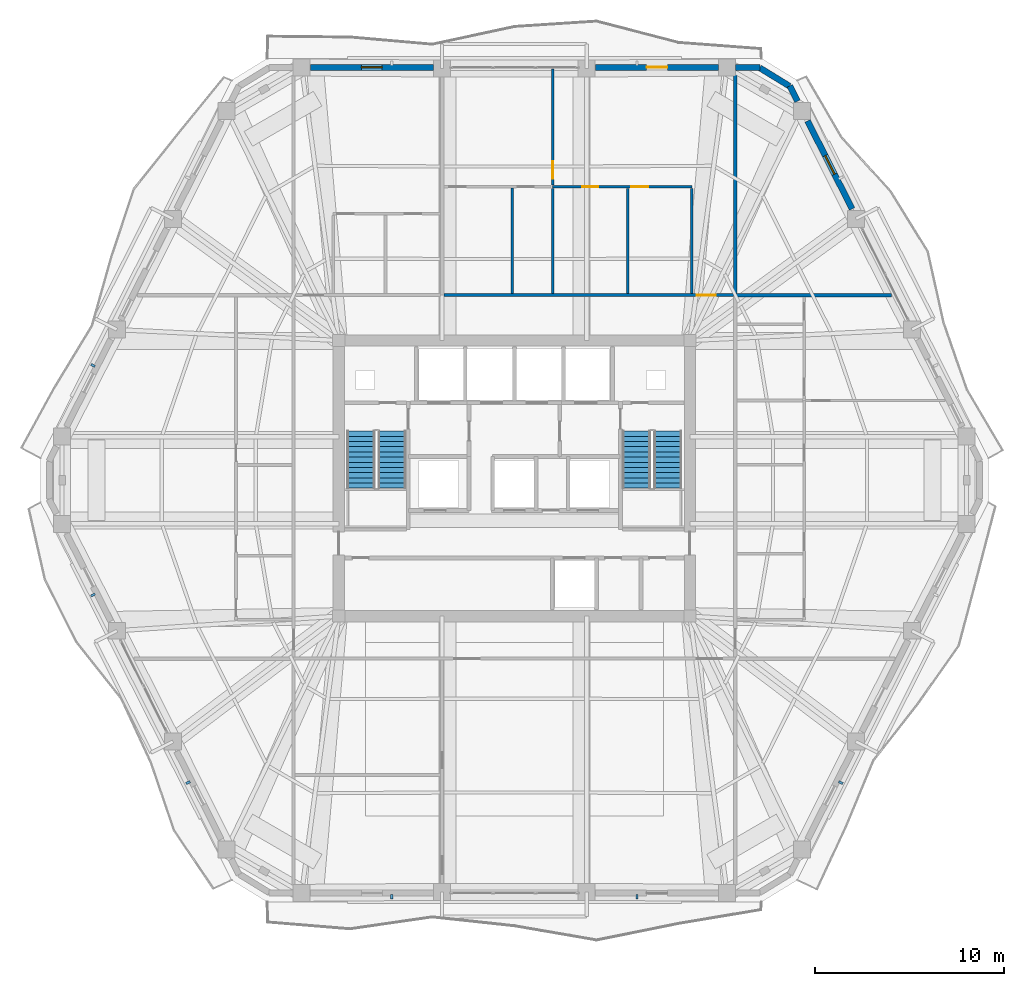
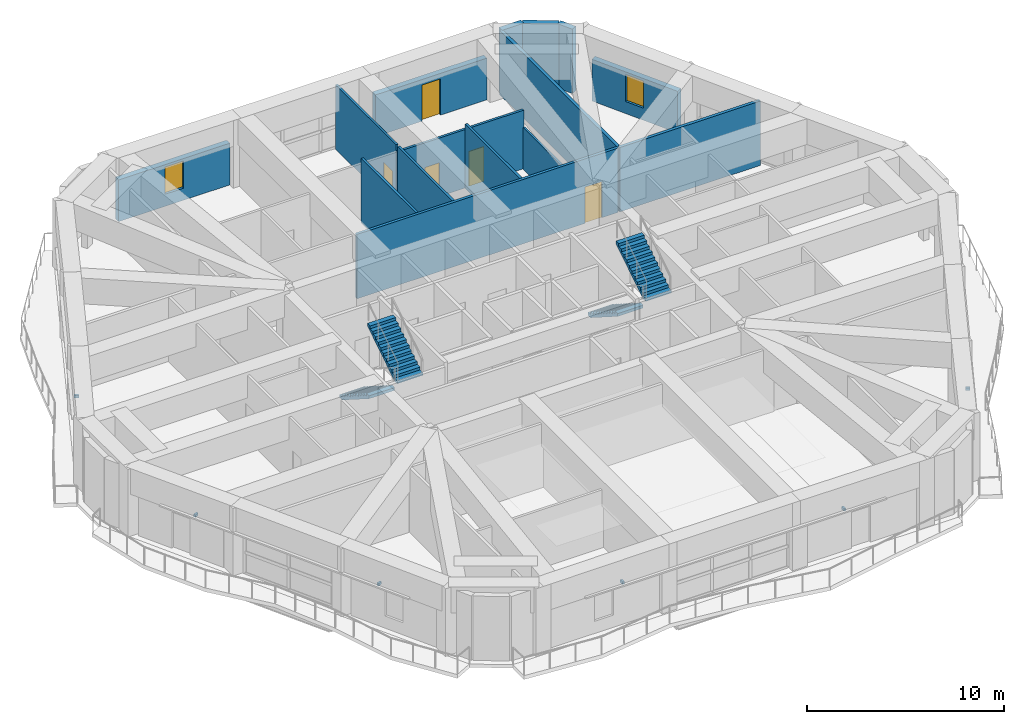
# One storey, part 16 of 20: 15 walls, 6 discrete accessories, 5 doors, 4 stair flights, 2 windows, 7 openings, 2 elements without a shape of their own.
"""IFC4 building model written with IfcOpenShell, lengths in metres."""

from ifc_helpers import new_model, si_unit, direction, frame, frame_2d, origin, origin_2d, place, context, subcontext, project, spatial, polyline, rectangle, outline, extrude, material, layer, layer_set, type_object, element, fill, aggregate, save


model = new_model("IFC4")

# Units and contexts
model_context = context("Model", 3, precision=1e-05, world=origin(), true_north=direction((0.0, 1.0)))
body_context = subcontext(model_context, "Body", "Model", "MODEL_VIEW")
ifc_project = project(units=[si_unit("LENGTHUNIT", "METRE"), si_unit("AREAUNIT", "SQUARE_METRE"), si_unit("VOLUMEUNIT", "CUBIC_METRE"), si_unit("PLANEANGLEUNIT", "RADIAN"), si_unit("MASSUNIT", "GRAM", prefix="KILO")], contexts=[model_context])

# Site, building, storey
site_placement = place(None, origin())
site = spatial("IfcSite", under=ifc_project, at=site_placement, CompositionType="ELEMENT")
building_placement = place(site_placement, origin())
building = spatial("IfcBuilding", under=site, at=building_placement, Name="Cinnabar Lancet Tower", CompositionType="ELEMENT")
storey_placement = place(building_placement, frame((0.0, 0.0, 167.699951171875)))
storey = spatial("IfcBuildingStorey", under=building, at=storey_placement, Name="L44", CompositionType="ELEMENT", Elevation=167.699951171875)

# Wall, opening, door
ifc_material_1 = material(Name="Acoustic twin-stud gypsum partition", Category="gypsum")
ifc_layer_1 = layer(ifc_material_1, 0.159912109375)
ifc_layer_set_1 = layer_set([ifc_layer_1], Name="Acoustic twin-stud gypsum partition")
wall_type_1 = type_object("IfcWallType", Name="ARC-WL-CORR-160", PredefinedType="PARTITIONING", material=ifc_layer_set_1)
wall_1_placement = place(storey_placement, frame((28.6630859375, 35.60009765625, 0.0), z_axis=(0.0, 0.0, 1.0), x_axis=(1.0, 0.0, 0.0)))
wall_1 = element("IfcWall", 1, at=wall_1_placement, inside=storey, type_object=wall_type_1, Name="L44 Unit N02 Corridor Wall", PredefinedType="PARTITIONING", context=body_context, shape_type="SweptSolid", body=[
    extrude(rectangle(XDim=15.341796875, YDim=0.159912109375, at=frame_2d((7.6708984375, 0.0))), origin(), (0.0, 0.0, 1.0), 4.0),
])
opening_1_placement = place(wall_1_placement, frame((13.386962890625, 0.0, 0.0)))
opening_1 = element("IfcOpeningElement", 2, at=opening_1_placement, cuts=wall_1, Name="Opening UD-01", PredefinedType="OPENING", context=body_context, shape_type="SweptSolid", body=[
    extrude(rectangle(XDim=1.02001953125, YDim=2.25, at=frame_2d((0.510009765625, 1.125))), frame((0.0, 0.08984375, 0.0), z_axis=(0.0, -1.0, 0.0), x_axis=(1.0, 0.0, 0.0)), (0.0, 0.0, 1.0), 0.179931640625),
])
ifc_material_2 = material(Name="Solid timber fire-rated apartment entrance door", Category="wood")
door_type_1 = type_object("IfcDoorType", Name="ARC-DR-UNIT", OperationType="NOTDEFINED", PredefinedType="DOOR", material=ifc_material_2)
door_1_placement = place(opening_1_placement, origin())
door_1 = element("IfcDoor", 3, at=door_1_placement, inside=storey, type_object=door_type_1, Name="DR-L44-N02-ENT", OperationType="SINGLE_SWING_RIGHT", OverallHeight=2.25, OverallWidth=1.02001953125, PredefinedType="DOOR", context=body_context, shape_type="SweptSolid", body=[
    extrude(rectangle(XDim=1.02001953125, YDim=2.25, at=frame_2d((0.510009765625, 1.125))), frame((0.0, 0.02490234375, 0.0), z_axis=(0.0, -1.0, 0.0), x_axis=(1.0, 0.0, 0.0)), (0.0, 0.0, 1.0), 0.050048828125),
])
fill(opening_1, door_1)

# Walls
ifc_material_3 = material(Name="Fire-rated twin-frame acoustic drywall", Category="gypsum")
ifc_layer_2 = layer(ifc_material_3, 0.179931640625)
ifc_layer_set_2 = layer_set([ifc_layer_2], Name="Fire-rated twin-frame acoustic drywall")
wall_type_2 = type_object("IfcWallType", Name="ARC-WL-PARTY-180", PredefinedType="PARTITIONING", material=ifc_layer_set_2)
wall_2_placement = place(storey_placement, frame((44.10009765625, 35.60009765625, 0.0), z_axis=(0.0, 0.0, 1.0), x_axis=(0.0, 1.0, 0.0)))
element("IfcWall", 4, at=wall_2_placement, inside=storey, type_object=wall_type_2, Name="PW-L44-NPTY-441", PredefinedType="PARTITIONING", context=body_context, shape_type="SweptSolid", body=[
    extrude(rectangle(XDim=11.98486328125, YDim=0.179931640625, at=frame_2d((5.992431640625, 0.0))), origin(), (0.0, 0.0, 1.0), 4.0),
])
wall_3_placement = place(storey_placement, frame((44.10009765625, 35.60009765625, 0.0), z_axis=(0.0, 0.0, 1.0), x_axis=(1.0, 0.0, 0.0)))
element("IfcWall", 5, at=wall_3_placement, inside=storey, type_object=wall_type_2, Name="PW-L44-ENB", PredefinedType="PARTITIONING", context=body_context, shape_type="SweptSolid", body=[
    extrude(rectangle(XDim=8.27294921875, YDim=0.179931640625, at=frame_2d((4.136474609375, 0.0))), origin(), (0.0, 0.0, 1.0), 4.0),
])
ifc_material_4 = material(Name="Gypsum plasterboard stud partition", Category="gypsum")
ifc_layer_3 = layer(ifc_material_4, 0.125)
ifc_layer_set_3 = layer_set([ifc_layer_3], Name="Gypsum plasterboard stud partition")
wall_type_3 = type_object("IfcWallType", Name="ARC-WL-UNIT-125", PredefinedType="PARTITIONING", material=ifc_layer_set_3)
wall_4_placement = place(storey_placement, frame((41.800048828125, 35.68505859375, 0.0), z_axis=(0.0, 0.0, 1.0), x_axis=(0.0, 1.0, 0.0)))
element("IfcWall", 6, at=wall_4_placement, inside=storey, type_object=wall_type_3, Name="UW-L44-N02-FOYW", PredefinedType="PARTITIONING", context=body_context, shape_type="SweptSolid", body=[
    extrude(rectangle(XDim=5.56298828125, YDim=0.125, at=frame_2d((2.781494140625, 0.0))), origin(), (0.0, 0.0, 1.0), 2.590087890625),
])

# Wall, opening, door
wall_5_placement = place(storey_placement, frame((34.425048828125, 41.427978515625, 0.0), z_axis=(0.0, 0.0, 1.0), x_axis=(0.0, 1.0, 0.0)))
wall_5 = element("IfcWall", 7, at=wall_5_placement, inside=storey, type_object=wall_type_3, Name="UW-L44-N02-MBW", PredefinedType="PARTITIONING", context=body_context, shape_type="SweptSolid", body=[
    extrude(rectangle(XDim=6.156982421875, YDim=0.125, at=frame_2d((3.07861328125, 0.0))), origin(), (0.0, 0.0, 1.0), 4.0),
])
opening_2_placement = place(wall_5_placement, frame((0.35009765625, 0.0, 0.0)))
opening_2 = element("IfcOpeningElement", 8, at=opening_2_placement, cuts=wall_5, Name="Opening RD-01", PredefinedType="OPENING", context=body_context, shape_type="SweptSolid", body=[
    extrude(rectangle(XDim=0.919921875, YDim=2.14990234375, at=frame_2d((0.4599609375, 1.074951171875))), frame((0.0, 0.072509765625, 0.0), z_axis=(0.0, -1.0, 0.0), x_axis=(1.0, 0.0, 0.0)), (0.0, 0.0, 1.0), 0.14501953125),
])
ifc_material_5 = material(Name="Engineered timber bedroom door", Category="wood")
door_type_2 = type_object("IfcDoorType", Name="ARC-DR-ROOM", OperationType="NOTDEFINED", PredefinedType="DOOR", material=ifc_material_5)
door_2_placement = place(opening_2_placement, origin())
door_2 = element("IfcDoor", 9, at=door_2_placement, inside=storey, type_object=door_type_2, Name="DR-L44-N02-MBD", OperationType="SINGLE_SWING_LEFT", OverallHeight=2.14990234375, OverallWidth=0.919921875, PredefinedType="DOOR", context=body_context, shape_type="SweptSolid", body=[
    extrude(rectangle(XDim=0.919921875, YDim=2.14990234375, at=frame_2d((0.4599609375, 1.074951171875))), frame((0.0, 0.02490234375, 0.0), z_axis=(0.0, -1.0, 0.0), x_axis=(1.0, 0.0, 0.0)), (0.0, 0.0, 1.0), 0.050048828125),
])
fill(opening_2, door_2)

# Wall, openings, doors
ifc_material_6 = material(Name="Moisture-resistant cement-board plumbing wall", Category="masonry")
ifc_layer_4 = layer(ifc_material_6, 0.139892578125)
ifc_layer_set_4 = layer_set([ifc_layer_4], Name="Moisture-resistant cement-board plumbing wall")
wall_type_4 = type_object("IfcWallType", Name="ARC-WL-WET-140", PredefinedType="PLUMBINGWALL", material=ifc_layer_set_4)
wall_6_placement = place(storey_placement, frame((34.425048828125, 41.35302734375, 0.0), z_axis=(0.0, 0.0, 1.0), x_axis=(1.0, 0.0, 0.0)))
wall_6 = element("IfcWall", 10, at=wall_6_placement, inside=storey, type_object=wall_type_4, Name="UW-L44-N02-SPL", PredefinedType="PLUMBINGWALL", context=body_context, shape_type="SweptSolid", body=[
    extrude(rectangle(XDim=7.375, YDim=0.139892578125, at=frame_2d((3.6875, 0.0))), origin(), (0.0, 0.0, 1.0), 3.635009765625),
])
opening_3_placement = place(wall_6_placement, frame((1.56298828125, 0.0, 0.0)))
opening_3 = element("IfcOpeningElement", 11, at=opening_3_placement, cuts=wall_6, Name="Opening BD-01", PredefinedType="OPENING", context=body_context, shape_type="SweptSolid", body=[
    extrude(rectangle(XDim=0.860107421875, YDim=2.10009765625, at=frame_2d((0.43017578125, 1.050048828125))), frame((0.0, 0.079833984375, 0.0), z_axis=(0.0, -1.0, 0.0), x_axis=(1.0, 0.0, 0.0)), (0.0, 0.0, 1.0), 0.159912109375),
])
opening_4_placement = place(wall_6_placement, frame((4.175048828125, 0.0, 0.0)))
opening_4 = element("IfcOpeningElement", 12, at=opening_4_placement, cuts=wall_6, Name="Opening RD-02", PredefinedType="OPENING", context=body_context, shape_type="SweptSolid", body=[
    extrude(rectangle(XDim=0.8798828125, YDim=2.14990234375, at=frame_2d((0.43994140625, 1.074951171875))), frame((0.0, 0.079833984375, 0.0), z_axis=(0.0, -1.0, 0.0), x_axis=(1.0, 0.0, 0.0)), (0.0, 0.0, 1.0), 0.159912109375),
])
ifc_material_7 = material(Name="Moisture-resistant timber bathroom door", Category="wood")
door_type_3 = type_object("IfcDoorType", Name="ARC-DR-BATH", OperationType="NOTDEFINED", PredefinedType="DOOR", material=ifc_material_7)
door_3_placement = place(opening_3_placement, origin())
door_3 = element("IfcDoor", 13, at=door_3_placement, inside=storey, type_object=door_type_3, Name="DR-L44-N02-BTH", OperationType="SINGLE_SWING_LEFT", OverallHeight=2.10009765625, OverallWidth=0.860107421875, PredefinedType="DOOR", context=body_context, shape_type="SweptSolid", body=[
    extrude(rectangle(XDim=0.860107421875, YDim=2.10009765625, at=frame_2d((0.43017578125, 1.050048828125))), frame((0.0, 0.02490234375, 0.0), z_axis=(0.0, -1.0, 0.0), x_axis=(1.0, 0.0, 0.0)), (0.0, 0.0, 1.0), 0.050048828125),
])
fill(opening_3, door_3)
ifc_material_8 = material(Name="Engineered timber study door", Category="wood")
door_type_4 = type_object("IfcDoorType", Name="ARC-DR-STUDY", OperationType="NOTDEFINED", PredefinedType="DOOR", material=ifc_material_8)
door_4_placement = place(opening_4_placement, origin())
door_4 = element("IfcDoor", 14, at=door_4_placement, inside=storey, type_object=door_type_4, Name="DR-L44-N02-KIT", OperationType="SINGLE_SWING_RIGHT", OverallHeight=2.14990234375, OverallWidth=0.8798828125, PredefinedType="DOOR", context=body_context, shape_type="SweptSolid", body=[
    extrude(rectangle(XDim=0.8798828125, YDim=2.14990234375, at=frame_2d((0.43994140625, 1.074951171875))), frame((0.0, 0.02490234375, 0.0), z_axis=(0.0, -1.0, 0.0), x_axis=(1.0, 0.0, 0.0)), (0.0, 0.0, 1.0), 0.050048828125),
])
fill(opening_4, door_4)

# Walls
for number, where, z_axis, x_axis, name in (
    (15, (38.39990234375, 35.68505859375, 0.0), (0.0, 0.0, 1.0), (0.0, 1.0, 0.0), "UW-L44-N02-KBD"),
    (16, (34.425048828125, 35.68505859375, 0.0), (0.0, 0.0, 1.0), (0.0, 1.0, 0.0), "UW-L44-N02-ENSW"),
):
    element("IfcWall", number, at=place(storey_placement, frame(where, z_axis=z_axis, x_axis=x_axis)), inside=storey, type_object=wall_type_4, Name=name, PredefinedType="PLUMBINGWALL", context=body_context, shape_type="SweptSolid", body=[
        extrude(rectangle(XDim=5.56298828125, YDim=0.139892578125, at=frame_2d((2.781494140625, 0.0))), origin(), (0.0, 0.0, 1.0), 4.0),
    ])
wall_7_placement = place(storey_placement, frame((32.2939453125, 35.68505859375, 0.0), z_axis=(0.0, 0.0, 1.0), x_axis=(0.0, 1.0, 0.0)))
element("IfcWall", 17, at=wall_7_placement, inside=storey, type_object=wall_type_4, Name="UW-L44-N02-ENS-WDV", PredefinedType="PLUMBINGWALL", context=body_context, shape_type="SweptSolid", body=[
    extrude(rectangle(XDim=5.5830078125, YDim=0.139892578125, at=frame_2d((2.79150390625, 0.0))), origin(), (0.0, 0.0, 1.0), 4.0),
])
ifc_material_9 = material(Name="Warm buff clay brick", Category="masonry")
ifc_layer_5 = layer(ifc_material_9, 0.320068359375)
ifc_layer_set_5 = layer_set([ifc_layer_5], Name="Warm buff clay brick")
wall_type_5 = type_object("IfcWallType", Name="ENV-WL-BRK-BUF-320", PredefinedType="STANDARD", material=ifc_layer_set_5)
wall_8_placement = place(storey_placement, frame((46.972900390625, 46.676025390625, 0.0), z_axis=(0.0, 0.0, 1.0), x_axis=(-0.85190713782, 0.52369287615, 0.0)))
element("IfcWall", 18, at=wall_8_placement, inside=storey, type_object=wall_type_5, Name="L44 Chamfered Corner Brick Pier 4.1", PredefinedType="STANDARD", context=body_context, shape_type="SweptSolid", body=[
    extrude(rectangle(XDim=1.852294921875, YDim=0.320068359375, at=frame_2d((0.92626953125, 0.0))), origin(), (0.0, 0.0, 1.0), 4.0),
])

# Wall, opening, window
wall_9_placement = place(storey_placement, frame((50.291015625, 40.1708984375, 0.0), z_axis=(0.0, 0.0, 1.0), x_axis=(-0.451418764337, 0.892312220697, 0.0)))
wall_9 = element("IfcWall", 19, at=wall_9_placement, inside=storey, type_object=wall_type_5, Name="L44 Face 3 Masonry Bay Wall 4", PredefinedType="STANDARD", context=body_context, shape_type="SweptSolid", body=[
    extrude(rectangle(XDim=5.218994140625, YDim=0.320068359375, at=frame_2d((2.609375, 0.0))), origin(), (0.0, 0.0, 1.0), 2.590087890625),
])
opening_5_placement = place(wall_9_placement, frame((2.06005859375, 0.0, 0.75)))
opening_5 = element("IfcOpeningElement", 20, at=opening_5_placement, cuts=wall_9, Name="Opening WN-04", PredefinedType="OPENING", context=body_context, shape_type="SweptSolid", body=[
    extrude(rectangle(XDim=1.10009765625, YDim=1.68994140625, at=frame_2d((0.550048828125, 0.844970703125))), frame((0.0, 0.169921875, 0.0), z_axis=(0.0, -1.0, 0.0), x_axis=(1.0, 0.0, 0.0)), (0.0, 0.0, 1.0), 0.340087890625),
])
ifc_material_10 = material(Name="Thermally broken bronze-anodized aluminium tall lancet window", Category="aluminium")
window_type = type_object("IfcWindowType", Name="ENV-WN-LANCET-1100", PartitioningType="SINGLE_PANEL", PredefinedType="WINDOW", material=ifc_material_10)
window_1_placement = place(opening_5_placement, origin())
window_1 = element("IfcWindow", 21, at=window_1_placement, inside=storey, type_object=window_type, Name="L44 Face 3 Gothic Lancet Window 4", OverallHeight=1.68994140625, OverallWidth=1.10009765625, PartitioningType="SINGLE_PANEL", PredefinedType="WINDOW", context=body_context, shape_type="SweptSolid", body=[
    extrude(rectangle(XDim=1.10009765625, YDim=1.68994140625, at=frame_2d((0.550048828125, 0.844970703125))), frame((0.0, 0.030029296875, 0.0), z_axis=(0.0, -1.0, 0.0), x_axis=(1.0, 0.0, 0.0)), (0.0, 0.0, 1.0), 0.06005859375),
])
fill(opening_5, window_1)

# Walls
wall_10_placement = place(storey_placement, frame((47.402099609375, 45.8798828125, 0.0), z_axis=(0.0, 0.0, 1.0), x_axis=(-0.451292054135, 0.892376311807, 0.0)))
element("IfcWall", 22, at=wall_10_placement, inside=storey, type_object=wall_type_5, Name="L44 Face 3 Masonry Bay Wall 5", PredefinedType="STANDARD", context=body_context, shape_type="SweptSolid", body=[
    extrude(rectangle(XDim=0.908935546875, YDim=0.320068359375, at=frame_2d((0.45458984375, 0.0))), origin(), (0.0, 0.0, 1.0), 4.0),
])
wall_11_placement = place(storey_placement, frame((45.39990234375, 47.669921875, 0.0), z_axis=(0.0, 0.0, 1.0), x_axis=(-1.0, 0.0, 0.0)))
element("IfcWall", 23, at=wall_11_placement, inside=storey, type_object=wall_type_5, Name="L44 Face 4 Masonry Bay Wall 1", PredefinedType="STANDARD", context=body_context, shape_type="SweptSolid", body=[
    extrude(rectangle(XDim=1.27685546875, YDim=0.320068359375, at=frame_2d((0.638427734375, 0.0))), origin(), (0.0, 0.0, 1.0), 4.0),
])

# Wall, opening, door
wall_12_placement = place(storey_placement, frame((43.215087890625, 47.669921875, 0.0), z_axis=(0.0, 0.0, 1.0), x_axis=(-1.0, 0.0, 0.0)))
wall_12 = element("IfcWall", 24, at=wall_12_placement, inside=storey, type_object=wall_type_5, Name="L44 Face 4 Masonry Bay Wall 2", PredefinedType="STANDARD", context=body_context, shape_type="SweptSolid", body=[
    extrude(rectangle(XDim=6.529052734375, YDim=0.320068359375, at=frame_2d((3.2646484375, 0.0))), origin(), (0.0, 0.0, 1.0), 2.590087890625),
])
opening_6_placement = place(wall_12_placement, frame((2.715087890625, 0.0, 0.0)))
opening_6 = element("IfcOpeningElement", 25, at=opening_6_placement, cuts=wall_12, Name="Opening TD-01", PredefinedType="OPENING", context=body_context, shape_type="SweptSolid", body=[
    extrude(rectangle(XDim=1.10009765625, YDim=2.25, at=frame_2d((0.550048828125, 1.125))), frame((0.0, 0.169921875, 0.0), z_axis=(0.0, -1.0, 0.0), x_axis=(1.0, 0.0, 0.0)), (0.0, 0.0, 1.0), 0.340087890625),
])
ifc_material_11 = material(Name="Thermally broken low-E glazed balcony terrace door", Category="wood")
door_type_5 = type_object("IfcDoorType", Name="ARC-DR-BALC", OperationType="NOTDEFINED", PredefinedType="DOOR", material=ifc_material_11)
door_5_placement = place(opening_6_placement, origin())
door_5 = element("IfcDoor", 26, at=door_5_placement, inside=storey, type_object=door_type_5, Name="L44 Face 4 Glazed Terrace Door", OperationType="SINGLE_SWING_RIGHT", OverallHeight=2.25, OverallWidth=1.10009765625, PredefinedType="DOOR", context=body_context, shape_type="SweptSolid", body=[
    extrude(rectangle(XDim=1.10009765625, YDim=2.25, at=frame_2d((0.550048828125, 1.125))), frame((0.0, 0.02490234375, 0.0), z_axis=(0.0, -1.0, 0.0), x_axis=(1.0, 0.0, 0.0)), (0.0, 0.0, 1.0), 0.050048828125),
])
fill(opening_6, door_5)

# Wall, opening, window
wall_13_placement = place(storey_placement, frame((28.114013671875, 47.669921875, 0.0), z_axis=(0.0, 0.0, 1.0), x_axis=(-1.0, 0.0, 0.0)))
wall_13 = element("IfcWall", 27, at=wall_13_placement, inside=storey, type_object=wall_type_5, Name="L44 Face 4 Masonry Bay Wall 4", PredefinedType="STANDARD", context=body_context, shape_type="SweptSolid", body=[
    extrude(rectangle(XDim=6.529052734375, YDim=0.320068359375, at=frame_2d((3.2646484375, 0.0))), origin(), (0.0, 0.0, 1.0), 2.590087890625),
])
opening_7_placement = place(wall_13_placement, frame((2.715087890625, 0.0, 0.75)))
opening_7 = element("IfcOpeningElement", 28, at=opening_7_placement, cuts=wall_13, Name="Opening WN-04", PredefinedType="OPENING", context=body_context, shape_type="SweptSolid", body=[
    extrude(rectangle(XDim=1.10009765625, YDim=1.68994140625, at=frame_2d((0.550048828125, 0.844970703125))), frame((0.0, 0.169921875, 0.0), z_axis=(0.0, -1.0, 0.0), x_axis=(1.0, 0.0, 0.0)), (0.0, 0.0, 1.0), 0.340087890625),
])
window_2_placement = place(opening_7_placement, origin())
window_2 = element("IfcWindow", 29, at=window_2_placement, inside=storey, type_object=window_type, Name="L44 Face 4 Gothic Lancet Window 4", OverallHeight=1.68994140625, OverallWidth=1.10009765625, PartitioningType="SINGLE_PANEL", PredefinedType="WINDOW", context=body_context, shape_type="SweptSolid", body=[
    extrude(rectangle(XDim=1.10009765625, YDim=1.68994140625, at=frame_2d((0.550048828125, 0.844970703125))), frame((0.0, 0.030029296875, 0.0), z_axis=(0.0, -1.0, 0.0), x_axis=(1.0, 0.0, 0.0)), (0.0, 0.0, 1.0), 0.06005859375),
])
fill(opening_7, window_2)

# Stair, stair flights
ifc_material_12 = material(Name="Concrete C40/50", Category="concrete")
stair_type = type_object("IfcStairType", Name="ST-CORE", PredefinedType="HALF_TURN_STAIR", material=ifc_material_12)
stair_1_placement = place(storey_placement, origin())
stair_1 = element("IfcStair", 30, at=stair_1_placement, inside=storey, type_object=stair_type, Name="L44 ST-1", PredefinedType="HALF_TURN_STAIR")
ifc_material_13 = material(Name="Concrete C40/50", Category="concrete")
stair_flight_type = type_object("IfcStairFlightType", Name="FLIGHT-CORE", PredefinedType="STRAIGHT", material=ifc_material_13)
stair_flight_1_placement = place(storey_placement, frame((24.27490234375, 28.39990234375, 0.0), z_axis=(0.0, 0.0, 1.0), x_axis=(0.0, -1.0, 0.0)))
stair_flight_1 = element("IfcStairFlight", 31, at=stair_flight_1_placement, type_object=stair_flight_type, Name="ST-1 flight 1", NumberOfRisers=12, NumberOfTreads=11, PredefinedType="STRAIGHT", RiserHeight=0.175, TreadLength=0.275, context=body_context, shape_type="SweptSolid", body=[
    extrude(outline(polyline([(0.0, 0.0), (0.0, 0.175048828125), (0.27490234375, 0.175048828125), (0.27490234375, 0.35009765625), (0.550048828125, 0.35009765625), (0.550048828125, 0.52490234375), (0.824951171875, 0.52490234375), (0.824951171875, 0.699951171875), (1.10009765625, 0.699951171875), (1.10009765625, 0.875), (1.375, 0.875), (1.375, 1.050048828125), (1.64990234375, 1.050048828125), (1.64990234375, 1.22509765625), (1.925048828125, 1.22509765625), (1.925048828125, 1.39990234375), (2.199951171875, 1.39990234375), (2.199951171875, 1.574951171875), (2.47509765625, 1.574951171875), (2.47509765625, 1.75), (2.75, 1.75), (2.75, 1.925048828125), (3.02490234375, 1.925048828125), (3.02490234375, 2.10009765625), (3.02490234375, 1.747314453125), (0.279296875, 0.0), (0.0, 0.0)])), frame((0.0, 0.75, 0.0), z_axis=(0.0, -1.0, 0.0), x_axis=(1.0, 0.0, 0.0)), (0.0, 0.0, 1.0), 1.5),
])
stair_flight_2_placement = place(storey_placement, frame((25.925048828125, 25.375, 2.10009765625), z_axis=(0.0, 0.0, 1.0), x_axis=(0.0, 1.0, 0.0)))
stair_flight_2 = element("IfcStairFlight", 32, at=stair_flight_2_placement, type_object=stair_flight_type, Name="ST-1 flight 2", NumberOfRisers=12, NumberOfTreads=11, PredefinedType="STRAIGHT", RiserHeight=0.175, TreadLength=0.275, context=body_context, shape_type="SweptSolid", body=[
    extrude(outline(polyline([(0.0, 0.0), (0.0, 0.175048828125), (0.27490234375, 0.175048828125), (0.27490234375, 0.35009765625), (0.550048828125, 0.35009765625), (0.550048828125, 0.52490234375), (0.824951171875, 0.52490234375), (0.824951171875, 0.699951171875), (1.10009765625, 0.699951171875), (1.10009765625, 0.875), (1.375, 0.875), (1.375, 1.050048828125), (1.64990234375, 1.050048828125), (1.64990234375, 1.22509765625), (1.925048828125, 1.22509765625), (1.925048828125, 1.39990234375), (2.199951171875, 1.39990234375), (2.199951171875, 1.574951171875), (2.47509765625, 1.574951171875), (2.47509765625, 1.75), (2.75, 1.75), (2.75, 1.925048828125), (3.02490234375, 1.925048828125), (3.02490234375, 2.10009765625), (3.02490234375, 1.747314453125), (0.279296875, 0.0), (0.0, 0.0)])), frame((0.0, 0.75, 0.0), z_axis=(0.0, -1.0, 0.0), x_axis=(1.0, 0.0, 0.0)), (0.0, 0.0, 1.0), 1.5),
])
aggregate(stair_1, [stair_flight_1, stair_flight_2])

stair_2_placement = place(storey_placement, origin())
stair_2 = element("IfcStair", 33, at=stair_2_placement, inside=storey, type_object=stair_type, Name="L44 ST-2", PredefinedType="HALF_TURN_STAIR")
stair_flight_3_placement = place(storey_placement, frame((38.875, 28.39990234375, 0.0), z_axis=(0.0, 0.0, 1.0), x_axis=(0.0, -1.0, 0.0)))
stair_flight_3 = element("IfcStairFlight", 34, at=stair_flight_3_placement, type_object=stair_flight_type, Name="ST-2 flight 1", NumberOfRisers=12, NumberOfTreads=11, PredefinedType="STRAIGHT", RiserHeight=0.175, TreadLength=0.275, context=body_context, shape_type="SweptSolid", body=[
    extrude(outline(polyline([(0.0, 0.0), (0.0, 0.175048828125), (0.27490234375, 0.175048828125), (0.27490234375, 0.35009765625), (0.550048828125, 0.35009765625), (0.550048828125, 0.52490234375), (0.824951171875, 0.52490234375), (0.824951171875, 0.699951171875), (1.10009765625, 0.699951171875), (1.10009765625, 0.875), (1.375, 0.875), (1.375, 1.050048828125), (1.64990234375, 1.050048828125), (1.64990234375, 1.22509765625), (1.925048828125, 1.22509765625), (1.925048828125, 1.39990234375), (2.199951171875, 1.39990234375), (2.199951171875, 1.574951171875), (2.47509765625, 1.574951171875), (2.47509765625, 1.75), (2.75, 1.75), (2.75, 1.925048828125), (3.02490234375, 1.925048828125), (3.02490234375, 2.10009765625), (3.02490234375, 1.747314453125), (0.279296875, 0.0), (0.0, 0.0)])), frame((0.0, 0.75, 0.0), z_axis=(0.0, -1.0, 0.0), x_axis=(1.0, 0.0, 0.0)), (0.0, 0.0, 1.0), 1.5),
])
stair_flight_4_placement = place(storey_placement, frame((40.52490234375, 25.375, 2.10009765625), z_axis=(0.0, 0.0, 1.0), x_axis=(0.0, 1.0, 0.0)))
stair_flight_4 = element("IfcStairFlight", 35, at=stair_flight_4_placement, type_object=stair_flight_type, Name="ST-2 flight 2", NumberOfRisers=12, NumberOfTreads=11, PredefinedType="STRAIGHT", RiserHeight=0.175, TreadLength=0.275, context=body_context, shape_type="SweptSolid", body=[
    extrude(outline(polyline([(0.0, 0.0), (0.0, 0.175048828125), (0.27490234375, 0.175048828125), (0.27490234375, 0.35009765625), (0.550048828125, 0.35009765625), (0.550048828125, 0.52490234375), (0.824951171875, 0.52490234375), (0.824951171875, 0.699951171875), (1.10009765625, 0.699951171875), (1.10009765625, 0.875), (1.375, 0.875), (1.375, 1.050048828125), (1.64990234375, 1.050048828125), (1.64990234375, 1.22509765625), (1.925048828125, 1.22509765625), (1.925048828125, 1.39990234375), (2.199951171875, 1.39990234375), (2.199951171875, 1.574951171875), (2.47509765625, 1.574951171875), (2.47509765625, 1.75), (2.75, 1.75), (2.75, 1.925048828125), (3.02490234375, 1.925048828125), (3.02490234375, 2.10009765625), (3.02490234375, 1.747314453125), (0.279296875, 0.0), (0.0, 0.0)])), frame((0.0, 0.75, 0.0), z_axis=(0.0, -1.0, 0.0), x_axis=(1.0, 0.0, 0.0)), (0.0, 0.0, 1.0), 1.5),
])
aggregate(stair_2, [stair_flight_3, stair_flight_4])

# Discrete accessories
ifc_material_14 = material(Name="Stainless steel 316 facade fixing bracket", Category="steel")
discrete_accessory_type = type_object("IfcDiscreteAccessoryType", Name="ENV-ACC-BRK-180", PredefinedType="BRACKET", material=ifc_material_14)
for number, where, z_axis, x_axis, name in (
    (36, (25.89990234375, 3.719970703125, 2.60009765625), (0.0, 0.0, 1.0), (1.0, 0.0, 0.0), "L44 Face 1 Sunshade Bracket A"),
    (37, (38.89990234375, 3.719970703125, 2.60009765625), (0.0, 0.0, 1.0), (1.0, 0.0, 0.0), "L44 Face 1 Sunshade Bracket B"),
    (38, (49.69091796875, 9.778076171875, 2.60009765625), (0.0, 0.0, 1.0), (0.451469426816, 0.892286588855, 0.0), "L44 Face 2 Sunshade Bracket A"),
    (39, (10.0791015625, 31.8798828125, 2.60009765625), (0.0, 0.0, 1.0), (-0.451469426816, -0.892286588855, 0.0), "L44 Face 5 Sunshade Bracket B"),
    (40, (10.0791015625, 19.719970703125, 2.60009765625), (0.0, 0.0, 1.0), (0.451469426816, -0.892286588855, 0.0), "L44 Face 6 Sunshade Bracket A"),
    (41, (15.10888671875, 9.778076171875, 2.60009765625), (0.0, 0.0, 1.0), (0.451469426816, -0.892286588855, 0.0), "L44 Face 6 Sunshade Bracket B"),
):
    element("IfcDiscreteAccessory", number, at=place(storey_placement, frame(where, z_axis=z_axis, x_axis=x_axis)), inside=storey, type_object=discrete_accessory_type, Name=name, PredefinedType="BRACKET", context=body_context, shape_type="SweptSolid", body=[
        extrude(rectangle(XDim=0.1201171875, YDim=0.239990234375, at=origin_2d()), origin(), (0.0, 0.0, 1.0), 0.159912109375),
    ])

save(model, "model.ifc")
